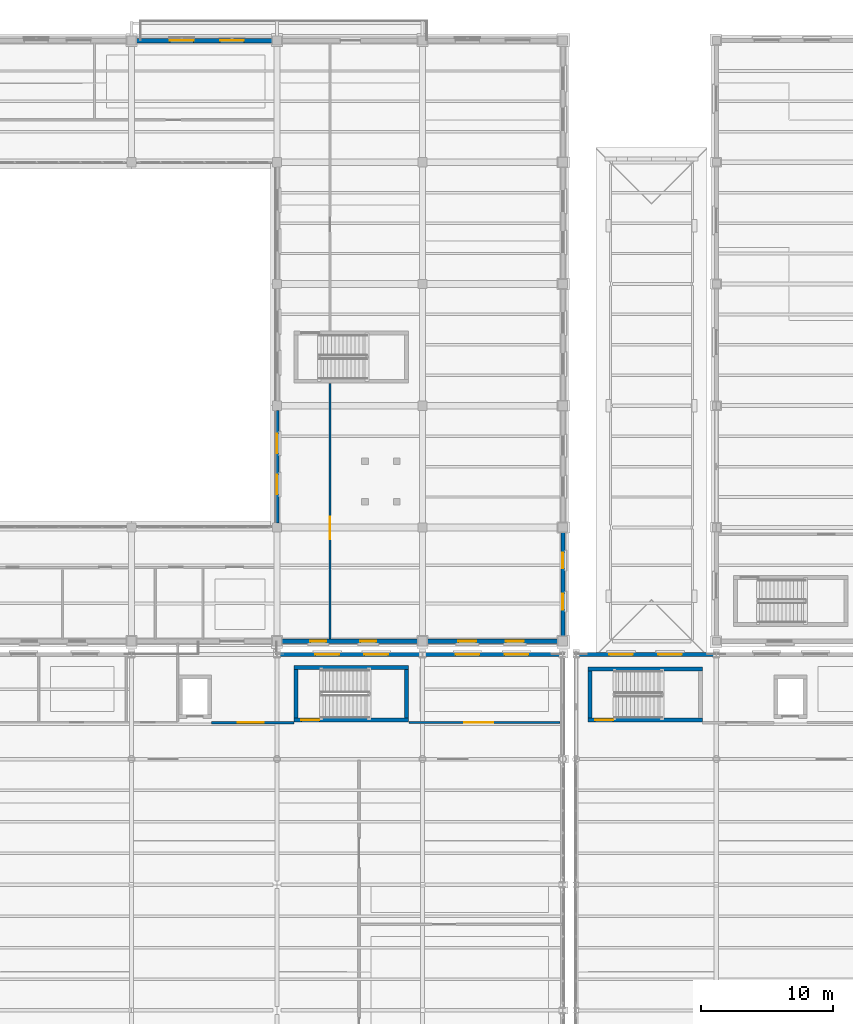
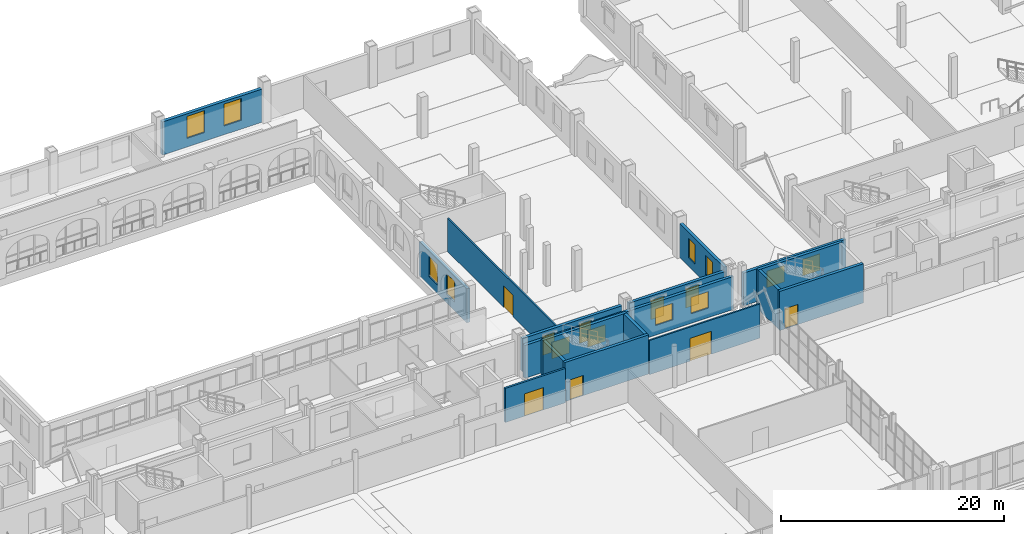
# One storey, part 125 of 156: 18 walls, 16 windows, 5 doors, 21 openings.
"""IFC4 building model written with IfcOpenShell, lengths in metres."""

from ifc_helpers import new_model, si_unit, direction, frame, frame_2d, origin, place, context, subcontext, project, spatial, rectangle, extrude, material, layer, layer_set, type_object, element, fill, save


model = new_model("IFC4")

# Units and contexts
model_context = context("Model", 3, precision=1e-05, world=origin(), true_north=direction((0.0, 1.0)))
body_context = subcontext(model_context, "Body", "Model", "MODEL_VIEW")
ifc_project = project(units=[si_unit("LENGTHUNIT", "METRE"), si_unit("AREAUNIT", "SQUARE_METRE"), si_unit("VOLUMEUNIT", "CUBIC_METRE"), si_unit("PLANEANGLEUNIT", "RADIAN"), si_unit("MASSUNIT", "GRAM", prefix="KILO")], contexts=[model_context])

# Site, building, storey
site_placement = place(None, origin())
site = spatial("IfcSite", under=ifc_project, at=site_placement, CompositionType="ELEMENT")
building_placement = place(site_placement, origin())
building = spatial("IfcBuilding", under=site, at=building_placement, Name="Caurita Quay Ferry Terminal", CompositionType="ELEMENT")
storey_placement = place(building_placement, frame((0.0, 0.0, 5.39990234375)))
storey = spatial("IfcBuildingStorey", under=building, at=storey_placement, Name="L01", CompositionType="ELEMENT", Elevation=5.39990234375)

# Wall, opening, door
ifc_material_1 = material(Name="Reinforced concrete C35/45", Category="concrete")
ifc_layer_1 = layer(ifc_material_1, 0.300048828125, Name="Interior shear wall 300 mm")
ifc_layer_set_1 = layer_set([ifc_layer_1], Name="Reinforced concrete C35/45")
wall_type_1 = type_object("IfcWallType", Name="WL-CORE-300", PredefinedType="SHEAR", material=ifc_layer_set_1)
wall_1_placement = place(storey_placement, frame((67.300048828125, 65.64990234375, 0.0), z_axis=(0.0, 0.0, 1.0), x_axis=(1.0, 0.0, 0.0)))
wall_1 = element("IfcWall", 1, at=wall_1_placement, inside=storey, type_object=wall_type_1, Name="L01 ST-07 Core Wall South", PredefinedType="SHEAR", context=body_context, shape_type="SweptSolid", body=[
    extrude(rectangle(XDim=8.64990234375, YDim=0.300048828125, at=frame_2d((4.324951171875, 0.0))), origin(), (0.0, 0.0, 1.0), 4.280029296875),
])
opening_1_placement = place(wall_1_placement, frame((0.550048828125, 0.0, 0.0)))
opening_1 = element("IfcOpeningElement", 2, at=opening_1_placement, cuts=wall_1, Name="Opening SD-01", PredefinedType="OPENING", context=body_context, shape_type="SweptSolid", body=[
    extrude(rectangle(XDim=1.35009765625, YDim=2.199951171875, at=frame_2d((0.675048828125, 1.10009765625))), frame((0.0, 0.159912109375, 0.0), z_axis=(0.0, -1.0, 0.0), x_axis=(1.0, 0.0, 0.0)), (0.0, 0.0, 1.0), 0.320068359375),
])
ifc_material_2 = material(Name="Anodized aluminium 6063-T6", Category="aluminium")
door_type_1 = type_object("IfcDoorType", Name="DR-ST-1200", OperationType="NOTDEFINED", PredefinedType="DOOR", material=ifc_material_2)
door_1_placement = place(opening_1_placement, origin())
door_1 = element("IfcDoor", 3, at=door_1_placement, inside=storey, type_object=door_type_1, Name="L01 Exit Stair ST-07 Fire Door", OperationType="SINGLE_SWING_RIGHT", OverallHeight=2.199951171875, OverallWidth=1.35009765625, PredefinedType="DOOR", context=body_context, shape_type="SweptSolid", body=[
    extrude(rectangle(XDim=1.35009765625, YDim=2.199951171875, at=frame_2d((0.675048828125, 1.10009765625))), frame((0.0, 0.02490234375, 0.0), z_axis=(0.0, -1.0, 0.0), x_axis=(1.0, 0.0, 0.0)), (0.0, 0.0, 1.0), 0.050048828125),
])
fill(opening_1, door_1)

# Walls
wall_2_placement = place(storey_placement, frame((75.949951171875, 69.610107421875, 0.0), z_axis=(0.0, 0.0, 1.0), x_axis=(-1.0, 0.0, 0.0)))
element("IfcWall", 4, at=wall_2_placement, inside=storey, type_object=wall_type_1, Name="L01 ST-07 Core Wall North", PredefinedType="SHEAR", context=body_context, shape_type="SweptSolid", body=[
    extrude(rectangle(XDim=8.64990234375, YDim=0.300048828125, at=frame_2d((4.324951171875, 0.0))), origin(), (0.0, 0.0, 1.0), 4.280029296875),
])
for number, where, z_axis, x_axis, name in (
    (5, (67.449951171875, 69.4599609375, 0.0), (0.0, 0.0, 1.0), (0.0, -1.0, 0.0), "L01 ST-07 Core Wall West"),
    (6, (75.800048828125, 65.800048828125, 0.0), (0.0, 0.0, 1.0), (0.0, 1.0, 0.0), "L01 ST-07 Core Wall East"),
):
    element("IfcWall", number, at=place(storey_placement, frame(where, z_axis=z_axis, x_axis=x_axis)), inside=storey, type_object=wall_type_1, Name=name, PredefinedType="SHEAR", context=body_context, shape_type="SweptSolid", body=[
        extrude(rectangle(XDim=3.659912109375, YDim=0.300048828125, at=frame_2d((1.830078125, 0.0))), origin(), (0.0, 0.0, 1.0), 4.280029296875),
    ])

# Wall, opening, door
wall_3_placement = place(storey_placement, frame((89.5, 65.64990234375, 0.0), z_axis=(0.0, 0.0, 1.0), x_axis=(1.0, 0.0, 0.0)))
wall_3 = element("IfcWall", 7, at=wall_3_placement, inside=storey, type_object=wall_type_1, Name="L01 ST-08 Core Wall South", PredefinedType="SHEAR", context=body_context, shape_type="SweptSolid", body=[
    extrude(rectangle(XDim=8.64990234375, YDim=0.300048828125, at=frame_2d((4.324951171875, 0.0))), origin(), (0.0, 0.0, 1.0), 4.280029296875),
])
opening_2_placement = place(wall_3_placement, frame((0.550048828125, 0.0, 0.0)))
opening_2 = element("IfcOpeningElement", 8, at=opening_2_placement, cuts=wall_3, Name="Opening SD-01", PredefinedType="OPENING", context=body_context, shape_type="SweptSolid", body=[
    extrude(rectangle(XDim=1.35009765625, YDim=2.199951171875, at=frame_2d((0.675048828125, 1.10009765625))), frame((0.0, 0.159912109375, 0.0), z_axis=(0.0, -1.0, 0.0), x_axis=(1.0, 0.0, 0.0)), (0.0, 0.0, 1.0), 0.320068359375),
])
door_2_placement = place(opening_2_placement, origin())
door_2 = element("IfcDoor", 9, at=door_2_placement, inside=storey, type_object=door_type_1, Name="L01 Exit Stair ST-08 Fire Door", OperationType="SINGLE_SWING_LEFT", OverallHeight=2.199951171875, OverallWidth=1.35009765625, PredefinedType="DOOR", context=body_context, shape_type="SweptSolid", body=[
    extrude(rectangle(XDim=1.35009765625, YDim=2.199951171875, at=frame_2d((0.675048828125, 1.10009765625))), frame((0.0, 0.02490234375, 0.0), z_axis=(0.0, -1.0, 0.0), x_axis=(1.0, 0.0, 0.0)), (0.0, 0.0, 1.0), 0.050048828125),
])
fill(opening_2, door_2)

# Walls
wall_4_placement = place(storey_placement, frame((98.14990234375, 69.510009765625, 0.0), z_axis=(0.0, 0.0, 1.0), x_axis=(-1.0, 0.0, 0.0)))
element("IfcWall", 10, at=wall_4_placement, inside=storey, type_object=wall_type_1, Name="L01 ST-08 Core Wall North", PredefinedType="SHEAR", context=body_context, shape_type="SweptSolid", body=[
    extrude(rectangle(XDim=8.64990234375, YDim=0.300048828125, at=frame_2d((4.324951171875, 0.0))), origin(), (0.0, 0.0, 1.0), 4.280029296875),
])
wall_5_placement = place(storey_placement, frame((89.64990234375, 69.360107421875, 0.0), z_axis=(0.0, 0.0, 1.0), x_axis=(0.0, -1.0, 0.0)))
element("IfcWall", 11, at=wall_5_placement, inside=storey, type_object=wall_type_1, Name="L01 ST-08 Core Wall West", PredefinedType="SHEAR", context=body_context, shape_type="SweptSolid", body=[
    extrude(rectangle(XDim=3.56005859375, YDim=0.300048828125, at=frame_2d((1.780029296875, 0.0))), origin(), (0.0, 0.0, 1.0), 4.280029296875),
])

# Wall, opening, door
ifc_material_3 = material(Name="Warm-white lime stucco masonry", Category="masonry")
ifc_layer_2 = layer(ifc_material_3, 0.199951171875, Name="Interior partitioning wall 200 mm")
ifc_layer_set_2 = layer_set([ifc_layer_2], Name="Warm-white lime stucco masonry")
wall_type_2 = type_object("IfcWallType", Name="WL-CORR-200", PredefinedType="PARTITIONING", material=ifc_layer_set_2)
wall_6_placement = place(storey_placement, frame((61.050048828125, 65.449951171875, 0.0), z_axis=(0.0, 0.0, 1.0), x_axis=(1.0, 0.0, 0.0)))
wall_6 = element("IfcWall", 12, at=wall_6_placement, inside=storey, type_object=wall_type_2, Name="L01 Interior Partition IW-L01-046", PredefinedType="PARTITIONING", context=body_context, shape_type="SweptSolid", body=[
    extrude(rectangle(XDim=6.239990234375, YDim=0.199951171875, at=frame_2d((3.1201171875, 0.0))), origin(), (0.0, 0.0, 1.0), 3.739013671875),
])
opening_3_placement = place(wall_6_placement, frame((2.0, 0.0, 0.0)))
opening_3 = element("IfcOpeningElement", 13, at=opening_3_placement, cuts=wall_6, Name="Opening ID-02", PredefinedType="OPENING", context=body_context, shape_type="SweptSolid", body=[
    extrude(rectangle(XDim=1.949951171875, YDim=2.449951171875, at=frame_2d((0.97509765625, 1.22509765625))), frame((0.0, 0.10986328125, 0.0), z_axis=(0.0, -1.0, 0.0), x_axis=(1.0, 0.0, 0.0)), (0.0, 0.0, 1.0), 0.219970703125),
])
door_type_2 = type_object("IfcDoorType", Name="DR-HALL-1950", OperationType="NOTDEFINED", PredefinedType="DOOR", material=ifc_material_2)
door_3_placement = place(opening_3_placement, frame((1.949951171875, 0.0, 0.0), z_axis=(0.0, 0.0, 1.0), x_axis=(-1.0, 0.0, 0.0)))
door_3 = element("IfcDoor", 14, at=door_3_placement, inside=storey, type_object=door_type_2, Name="Departure Lift Lobby L01 East Door", OperationType="SINGLE_SWING_RIGHT", OverallHeight=2.449951171875, OverallWidth=1.949951171875, PredefinedType="DOOR", context=body_context, shape_type="SweptSolid", body=[
    extrude(rectangle(XDim=1.949951171875, YDim=2.449951171875, at=frame_2d((0.97509765625, 1.22509765625))), frame((0.0, 0.02490234375, 0.0), z_axis=(0.0, -1.0, 0.0), x_axis=(1.0, 0.0, 0.0)), (0.0, 0.0, 1.0), 0.050048828125),
])
fill(opening_3, door_3)

# Wall, openings, windows
ifc_layer_3 = layer(ifc_material_3, 0.31005859375, Name="Exterior solidwall wall 310 mm")
ifc_layer_set_3 = layer_set([ifc_layer_3], Name="Warm-white lime stucco masonry")
wall_type_3 = type_object("IfcWallType", Name="WL-EXT-310", PredefinedType="SOLIDWALL", material=ifc_layer_set_3)
wall_7_placement = place(storey_placement, frame((66.347900390625, 71.60009765625, 0.0), z_axis=(0.0, 0.0, 1.0), x_axis=(1.0, 0.0, 0.0)))
wall_7 = element("IfcWall", 15, at=wall_7_placement, inside=storey, type_object=wall_type_3, Name="L01 Exterior Wall EW-L01-067", PredefinedType="SOLIDWALL", context=body_context, shape_type="SweptSolid", body=[
    extrude(rectangle(XDim=10.30419921875, YDim=0.31005859375, at=frame_2d((5.152099609375, 0.0))), origin(), (0.0, 0.0, 1.0), 3.625),
])
opening_4_placement = place(wall_7_placement, frame((2.172119140625, 0.0, 0.949951171875)))
opening_4 = element("IfcOpeningElement", 16, at=opening_4_placement, cuts=wall_7, Name="Opening W-04", PredefinedType="OPENING", context=body_context, shape_type="SweptSolid", body=[
    extrude(rectangle(XDim=1.199951171875, YDim=2.10009765625, at=frame_2d((0.60009765625, 1.050048828125))), frame((0.0, 0.1650390625, 0.0), z_axis=(0.0, -1.0, 0.0), x_axis=(1.0, 0.0, 0.0)), (0.0, 0.0, 1.0), 0.330078125),
])
opening_5_placement = place(wall_7_placement, frame((5.951904296875, 0.0, 0.949951171875)))
opening_5 = element("IfcOpeningElement", 17, at=opening_5_placement, cuts=wall_7, Name="Opening W-04", PredefinedType="OPENING", context=body_context, shape_type="SweptSolid", body=[
    extrude(rectangle(XDim=1.199951171875, YDim=2.10009765625, at=frame_2d((0.60009765625, 1.050048828125))), frame((0.0, 0.1650390625, 0.0), z_axis=(0.0, -1.0, 0.0), x_axis=(1.0, 0.0, 0.0)), (0.0, 0.0, 1.0), 0.330078125),
])
ifc_material_4 = material(Name="Laminated solar-control insulated glass", Category="glass")
window_type_1 = type_object("IfcWindowType", Name="WIN-SC-1221", PartitioningType="SINGLE_PANEL", PredefinedType="WINDOW", material=ifc_material_4)
window_1_placement = place(opening_4_placement, origin())
window_1 = element("IfcWindow", 18, at=window_1_placement, inside=storey, type_object=window_type_1, Name="L01 Casement Window WN-L01-099", OverallHeight=2.10009765625, OverallWidth=1.199951171875, PartitioningType="SINGLE_PANEL", PredefinedType="WINDOW", context=body_context, shape_type="SweptSolid", body=[
    extrude(rectangle(XDim=1.199951171875, YDim=2.10009765625, at=frame_2d((0.60009765625, 1.050048828125))), frame((0.0, 0.030029296875, 0.0), z_axis=(0.0, -1.0, 0.0), x_axis=(1.0, 0.0, 0.0)), (0.0, 0.0, 1.0), 0.06005859375),
])
fill(opening_4, window_1)
window_2_placement = place(opening_5_placement, origin())
window_2 = element("IfcWindow", 19, at=window_2_placement, inside=storey, type_object=window_type_1, Name="L01 Casement Window WN-L01-100", OverallHeight=2.10009765625, OverallWidth=1.199951171875, PartitioningType="SINGLE_PANEL", PredefinedType="WINDOW", context=body_context, shape_type="SweptSolid", body=[
    extrude(rectangle(XDim=1.199951171875, YDim=2.10009765625, at=frame_2d((0.60009765625, 1.050048828125))), frame((0.0, 0.030029296875, 0.0), z_axis=(0.0, -1.0, 0.0), x_axis=(1.0, 0.0, 0.0)), (0.0, 0.0, 1.0), 0.06005859375),
])
fill(opening_5, window_2)

wall_8_placement = place(storey_placement, frame((77.347900390625, 71.60009765625, 0.0), z_axis=(0.0, 0.0, 1.0), x_axis=(1.0, 0.0, 0.0)))
wall_8 = element("IfcWall", 20, at=wall_8_placement, inside=storey, type_object=wall_type_3, Name="L01 Exterior Wall EW-L01-068", PredefinedType="SOLIDWALL", context=body_context, shape_type="SweptSolid", body=[
    extrude(rectangle(XDim=9.904052734375, YDim=0.31005859375, at=frame_2d((4.9521484375, 0.0))), origin(), (0.0, 0.0, 1.0), 3.635009765625),
])
opening_6_placement = place(wall_8_placement, frame((2.35205078125, 0.0, 0.949951171875)))
opening_6 = element("IfcOpeningElement", 21, at=opening_6_placement, cuts=wall_8, Name="Opening W-05", PredefinedType="OPENING", context=body_context, shape_type="SweptSolid", body=[
    extrude(rectangle(XDim=1.35009765625, YDim=2.10009765625, at=frame_2d((0.675048828125, 1.050048828125))), frame((0.0, 0.1650390625, 0.0), z_axis=(0.0, -1.0, 0.0), x_axis=(1.0, 0.0, 0.0)), (0.0, 0.0, 1.0), 0.330078125),
])
opening_7_placement = place(wall_8_placement, frame((5.951904296875, 0.0, 0.949951171875)))
opening_7 = element("IfcOpeningElement", 22, at=opening_7_placement, cuts=wall_8, Name="Opening W-05", PredefinedType="OPENING", context=body_context, shape_type="SweptSolid", body=[
    extrude(rectangle(XDim=1.35009765625, YDim=2.10009765625, at=frame_2d((0.675048828125, 1.050048828125))), frame((0.0, 0.1650390625, 0.0), z_axis=(0.0, -1.0, 0.0), x_axis=(1.0, 0.0, 0.0)), (0.0, 0.0, 1.0), 0.330078125),
])
window_type_2 = type_object("IfcWindowType", Name="WIN-SC-13521", PartitioningType="SINGLE_PANEL", PredefinedType="WINDOW", material=ifc_material_4)
window_3_placement = place(opening_6_placement, origin())
window_3 = element("IfcWindow", 23, at=window_3_placement, inside=storey, type_object=window_type_2, Name="L01 Casement Window WN-L01-101", OverallHeight=2.10009765625, OverallWidth=1.35009765625, PartitioningType="SINGLE_PANEL", PredefinedType="WINDOW", context=body_context, shape_type="SweptSolid", body=[
    extrude(rectangle(XDim=1.35009765625, YDim=2.10009765625, at=frame_2d((0.675048828125, 1.050048828125))), frame((0.0, 0.030029296875, 0.0), z_axis=(0.0, -1.0, 0.0), x_axis=(1.0, 0.0, 0.0)), (0.0, 0.0, 1.0), 0.06005859375),
])
fill(opening_6, window_3)
window_4_placement = place(opening_7_placement, origin())
window_4 = element("IfcWindow", 24, at=window_4_placement, inside=storey, type_object=window_type_2, Name="L01 Casement Window WN-L01-102", OverallHeight=2.10009765625, OverallWidth=1.35009765625, PartitioningType="SINGLE_PANEL", PredefinedType="WINDOW", context=body_context, shape_type="SweptSolid", body=[
    extrude(rectangle(XDim=1.35009765625, YDim=2.10009765625, at=frame_2d((0.675048828125, 1.050048828125))), frame((0.0, 0.030029296875, 0.0), z_axis=(0.0, -1.0, 0.0), x_axis=(1.0, 0.0, 0.0)), (0.0, 0.0, 1.0), 0.06005859375),
])
fill(opening_7, window_4)

wall_9_placement = place(storey_placement, frame((87.60009765625, 71.947998046875, 0.0), z_axis=(0.0, 0.0, 1.0), x_axis=(0.0, 1.0, 0.0)))
wall_9 = element("IfcWall", 25, at=wall_9_placement, inside=storey, type_object=wall_type_3, Name="L01 Exterior Wall EW-L01-088", PredefinedType="SOLIDWALL", context=body_context, shape_type="SweptSolid", body=[
    extrude(rectangle(XDim=7.904052734375, YDim=0.31005859375, at=frame_2d((3.9521484375, 0.0))), origin(), (0.0, 0.0, 1.0), 3.735107421875),
])
opening_8_placement = place(wall_9_placement, frame((2.052001953125, 0.0, 0.949951171875)))
opening_8 = element("IfcOpeningElement", 26, at=opening_8_placement, cuts=wall_9, Name="Opening W-04", PredefinedType="OPENING", context=body_context, shape_type="SweptSolid", body=[
    extrude(rectangle(XDim=1.199951171875, YDim=2.10009765625, at=frame_2d((0.60009765625, 1.050048828125))), frame((0.0, 0.1650390625, 0.0), z_axis=(0.0, -1.0, 0.0), x_axis=(1.0, 0.0, 0.0)), (0.0, 0.0, 1.0), 0.330078125),
])
opening_9_placement = place(wall_9_placement, frame((5.152099609375, 0.0, 0.949951171875)))
opening_9 = element("IfcOpeningElement", 27, at=opening_9_placement, cuts=wall_9, Name="Opening W-04", PredefinedType="OPENING", context=body_context, shape_type="SweptSolid", body=[
    extrude(rectangle(XDim=1.199951171875, YDim=2.10009765625, at=frame_2d((0.60009765625, 1.050048828125))), frame((0.0, 0.1650390625, 0.0), z_axis=(0.0, -1.0, 0.0), x_axis=(1.0, 0.0, 0.0)), (0.0, 0.0, 1.0), 0.330078125),
])
window_5_placement = place(opening_8_placement, origin())
window_5 = element("IfcWindow", 28, at=window_5_placement, inside=storey, type_object=window_type_1, Name="L01 Casement Window WN-L01-131", OverallHeight=2.10009765625, OverallWidth=1.199951171875, PartitioningType="SINGLE_PANEL", PredefinedType="WINDOW", context=body_context, shape_type="SweptSolid", body=[
    extrude(rectangle(XDim=1.199951171875, YDim=2.10009765625, at=frame_2d((0.60009765625, 1.050048828125))), frame((0.0, 0.030029296875, 0.0), z_axis=(0.0, -1.0, 0.0), x_axis=(1.0, 0.0, 0.0)), (0.0, 0.0, 1.0), 0.06005859375),
])
fill(opening_8, window_5)
window_6_placement = place(opening_9_placement, origin())
window_6 = element("IfcWindow", 29, at=window_6_placement, inside=storey, type_object=window_type_1, Name="L01 Casement Window WN-L01-132", OverallHeight=2.10009765625, OverallWidth=1.199951171875, PartitioningType="SINGLE_PANEL", PredefinedType="WINDOW", context=body_context, shape_type="SweptSolid", body=[
    extrude(rectangle(XDim=1.199951171875, YDim=2.10009765625, at=frame_2d((0.60009765625, 1.050048828125))), frame((0.0, 0.030029296875, 0.0), z_axis=(0.0, -1.0, 0.0), x_axis=(1.0, 0.0, 0.0)), (0.0, 0.0, 1.0), 0.06005859375),
])
fill(opening_9, window_6)

wall_10_placement = place(storey_placement, frame((66.0, 80.548095703125, 0.0), z_axis=(0.0, 0.0, 1.0), x_axis=(0.0, 1.0, 0.0)))
wall_10 = element("IfcWall", 30, at=wall_10_placement, inside=storey, type_object=wall_type_3, Name="L01 Exterior Wall EW-L01-131", PredefinedType="SOLIDWALL", context=body_context, shape_type="SweptSolid", body=[
    extrude(rectangle(XDim=8.50390625, YDim=0.31005859375, at=frame_2d((4.251953125, 0.0))), origin(), (0.0, 0.0, 1.0), 3.72509765625),
])
opening_10_placement = place(wall_10_placement, frame((2.152099609375, 0.0, 0.949951171875)))
opening_10 = element("IfcOpeningElement", 31, at=opening_10_placement, cuts=wall_10, Name="Opening W-07", PredefinedType="OPENING", context=body_context, shape_type="SweptSolid", body=[
    extrude(rectangle(XDim=1.5, YDim=2.25, at=frame_2d((0.75, 1.125))), frame((0.0, 0.1650390625, 0.0), z_axis=(0.0, -1.0, 0.0), x_axis=(1.0, 0.0, 0.0)), (0.0, 0.0, 1.0), 0.330078125),
])
opening_11_placement = place(wall_10_placement, frame((5.251953125, 0.0, 0.949951171875)))
opening_11 = element("IfcOpeningElement", 32, at=opening_11_placement, cuts=wall_10, Name="Opening W-07", PredefinedType="OPENING", context=body_context, shape_type="SweptSolid", body=[
    extrude(rectangle(XDim=1.5, YDim=2.25, at=frame_2d((0.75, 1.125))), frame((0.0, 0.1650390625, 0.0), z_axis=(0.0, -1.0, 0.0), x_axis=(1.0, 0.0, 0.0)), (0.0, 0.0, 1.0), 0.330078125),
])
window_type_3 = type_object("IfcWindowType", Name="WIN-SC-1522", PartitioningType="SINGLE_PANEL", PredefinedType="WINDOW", material=ifc_material_4)
window_7_placement = place(opening_10_placement, origin())
window_7 = element("IfcWindow", 33, at=window_7_placement, inside=storey, type_object=window_type_3, Name="L01 Casement Window WN-L01-201", OverallHeight=2.25, OverallWidth=1.5, PartitioningType="SINGLE_PANEL", PredefinedType="WINDOW", context=body_context, shape_type="SweptSolid", body=[
    extrude(rectangle(XDim=1.5, YDim=2.25, at=frame_2d((0.75, 1.125))), frame((0.0, 0.030029296875, 0.0), z_axis=(0.0, -1.0, 0.0), x_axis=(1.0, 0.0, 0.0)), (0.0, 0.0, 1.0), 0.06005859375),
])
fill(opening_10, window_7)
window_8_placement = place(opening_11_placement, origin())
window_8 = element("IfcWindow", 34, at=window_8_placement, inside=storey, type_object=window_type_3, Name="L01 Casement Window WN-L01-202", OverallHeight=2.25, OverallWidth=1.5, PartitioningType="SINGLE_PANEL", PredefinedType="WINDOW", context=body_context, shape_type="SweptSolid", body=[
    extrude(rectangle(XDim=1.5, YDim=2.25, at=frame_2d((0.75, 1.125))), frame((0.0, 0.030029296875, 0.0), z_axis=(0.0, -1.0, 0.0), x_axis=(1.0, 0.0, 0.0)), (0.0, 0.0, 1.0), 0.06005859375),
])
fill(opening_11, window_8)

wall_11_placement = place(storey_placement, frame((76.993408203125, 70.60009765625, 0.0), z_axis=(0.0, 0.0, 1.0), x_axis=(-1.0, 0.0, 0.0)))
wall_11 = element("IfcWall", 35, at=wall_11_placement, inside=storey, type_object=wall_type_3, Name="L01 Exterior Wall EW-L01-184", PredefinedType="SOLIDWALL", context=body_context, shape_type="SweptSolid", body=[
    extrude(rectangle(XDim=10.98681640625, YDim=0.31005859375, at=frame_2d((5.493408203125, 0.0))), origin(), (0.0, 0.0, 1.0), 3.592041015625),
])
opening_12_placement = place(wall_11_placement, frame((2.593505859375, 0.0, 1.050048828125)))
opening_12 = element("IfcOpeningElement", 36, at=opening_12_placement, cuts=wall_11, Name="Opening W-09", PredefinedType="OPENING", context=body_context, shape_type="SweptSolid", body=[
    extrude(rectangle(XDim=1.800048828125, YDim=1.800048828125, at=frame_2d((0.89990234375, 0.89990234375))), frame((0.0, 0.1650390625, 0.0), z_axis=(0.0, -1.0, 0.0), x_axis=(1.0, 0.0, 0.0)), (0.0, 0.0, 1.0), 0.330078125),
])
opening_13_placement = place(wall_11_placement, frame((6.29345703125, 0.0, 1.050048828125)))
opening_13 = element("IfcOpeningElement", 37, at=opening_13_placement, cuts=wall_11, Name="Opening W-09", PredefinedType="OPENING", context=body_context, shape_type="SweptSolid", body=[
    extrude(rectangle(XDim=1.800048828125, YDim=1.800048828125, at=frame_2d((0.89990234375, 0.89990234375))), frame((0.0, 0.1650390625, 0.0), z_axis=(0.0, -1.0, 0.0), x_axis=(1.0, 0.0, 0.0)), (0.0, 0.0, 1.0), 0.330078125),
])
window_type_4 = type_object("IfcWindowType", Name="WIN-SC-1818", PartitioningType="SINGLE_PANEL", PredefinedType="WINDOW", material=ifc_material_4)
window_9_placement = place(opening_12_placement, origin())
window_9 = element("IfcWindow", 38, at=window_9_placement, inside=storey, type_object=window_type_4, Name="L01 Casement Window WN-L01-277", OverallHeight=1.800048828125, OverallWidth=1.800048828125, PartitioningType="SINGLE_PANEL", PredefinedType="WINDOW", context=body_context, shape_type="SweptSolid", body=[
    extrude(rectangle(XDim=1.800048828125, YDim=1.800048828125, at=frame_2d((0.89990234375, 0.89990234375))), frame((0.0, 0.030029296875, 0.0), z_axis=(0.0, -1.0, 0.0), x_axis=(1.0, 0.0, 0.0)), (0.0, 0.0, 1.0), 0.06005859375),
])
fill(opening_12, window_9)
window_10_placement = place(opening_13_placement, origin())
window_10 = element("IfcWindow", 39, at=window_10_placement, inside=storey, type_object=window_type_4, Name="L01 Casement Window WN-L01-278", OverallHeight=1.800048828125, OverallWidth=1.800048828125, PartitioningType="SINGLE_PANEL", PredefinedType="WINDOW", context=body_context, shape_type="SweptSolid", body=[
    extrude(rectangle(XDim=1.800048828125, YDim=1.800048828125, at=frame_2d((0.89990234375, 0.89990234375))), frame((0.0, 0.030029296875, 0.0), z_axis=(0.0, -1.0, 0.0), x_axis=(1.0, 0.0, 0.0)), (0.0, 0.0, 1.0), 0.06005859375),
])
fill(opening_13, window_10)

wall_12_placement = place(storey_placement, frame((87.593505859375, 70.60009765625, 0.0), z_axis=(0.0, 0.0, 1.0), x_axis=(-1.0, 0.0, 0.0)))
wall_12 = element("IfcWall", 40, at=wall_12_placement, inside=storey, type_object=wall_type_3, Name="L01 Exterior Wall EW-L01-185", PredefinedType="SOLIDWALL", context=body_context, shape_type="SweptSolid", body=[
    extrude(rectangle(XDim=10.5869140625, YDim=0.31005859375, at=frame_2d((5.29345703125, 0.0))), origin(), (0.0, 0.0, 1.0), 3.592041015625),
])
opening_14_placement = place(wall_12_placement, frame((2.59326171875, 0.0, 1.050048828125)))
opening_14 = element("IfcOpeningElement", 41, at=opening_14_placement, cuts=wall_12, Name="Opening W-09", PredefinedType="OPENING", context=body_context, shape_type="SweptSolid", body=[
    extrude(rectangle(XDim=1.800048828125, YDim=1.800048828125, at=frame_2d((0.89990234375, 0.89990234375))), frame((0.0, 0.1650390625, 0.0), z_axis=(0.0, -1.0, 0.0), x_axis=(1.0, 0.0, 0.0)), (0.0, 0.0, 1.0), 0.330078125),
])
opening_15_placement = place(wall_12_placement, frame((6.293212890625, 0.0, 1.050048828125)))
opening_15 = element("IfcOpeningElement", 42, at=opening_15_placement, cuts=wall_12, Name="Opening W-09", PredefinedType="OPENING", context=body_context, shape_type="SweptSolid", body=[
    extrude(rectangle(XDim=1.800048828125, YDim=1.800048828125, at=frame_2d((0.89990234375, 0.89990234375))), frame((0.0, 0.1650390625, 0.0), z_axis=(0.0, -1.0, 0.0), x_axis=(1.0, 0.0, 0.0)), (0.0, 0.0, 1.0), 0.330078125),
])
window_11_placement = place(opening_14_placement, origin())
window_11 = element("IfcWindow", 43, at=window_11_placement, inside=storey, type_object=window_type_4, Name="L01 Casement Window WN-L01-279", OverallHeight=1.800048828125, OverallWidth=1.800048828125, PartitioningType="SINGLE_PANEL", PredefinedType="WINDOW", context=body_context, shape_type="SweptSolid", body=[
    extrude(rectangle(XDim=1.800048828125, YDim=1.800048828125, at=frame_2d((0.89990234375, 0.89990234375))), frame((0.0, 0.030029296875, 0.0), z_axis=(0.0, -1.0, 0.0), x_axis=(1.0, 0.0, 0.0)), (0.0, 0.0, 1.0), 0.06005859375),
])
fill(opening_14, window_11)
window_12_placement = place(opening_15_placement, origin())
window_12 = element("IfcWindow", 44, at=window_12_placement, inside=storey, type_object=window_type_4, Name="L01 Casement Window WN-L01-280", OverallHeight=1.800048828125, OverallWidth=1.800048828125, PartitioningType="SINGLE_PANEL", PredefinedType="WINDOW", context=body_context, shape_type="SweptSolid", body=[
    extrude(rectangle(XDim=1.800048828125, YDim=1.800048828125, at=frame_2d((0.89990234375, 0.89990234375))), frame((0.0, 0.030029296875, 0.0), z_axis=(0.0, -1.0, 0.0), x_axis=(1.0, 0.0, 0.0)), (0.0, 0.0, 1.0), 0.06005859375),
])
fill(opening_15, window_12)

wall_13_placement = place(storey_placement, frame((99.194580078125, 70.60009765625, 0.0), z_axis=(0.0, 0.0, 1.0), x_axis=(-1.0, 0.0, 0.0)))
wall_13 = element("IfcWall", 45, at=wall_13_placement, inside=storey, type_object=wall_type_3, Name="L01 Exterior Wall EW-L01-186", PredefinedType="SOLIDWALL", context=body_context, shape_type="SweptSolid", body=[
    extrude(rectangle(XDim=10.589111328125, YDim=0.31005859375, at=frame_2d((5.29443359375, 0.0))), origin(), (0.0, 0.0, 1.0), 3.592041015625),
])
opening_16_placement = place(wall_13_placement, frame((2.594482421875, 0.0, 1.050048828125)))
opening_16 = element("IfcOpeningElement", 46, at=opening_16_placement, cuts=wall_13, Name="Opening W-09", PredefinedType="OPENING", context=body_context, shape_type="SweptSolid", body=[
    extrude(rectangle(XDim=1.800048828125, YDim=1.800048828125, at=frame_2d((0.89990234375, 0.89990234375))), frame((0.0, 0.1650390625, 0.0), z_axis=(0.0, -1.0, 0.0), x_axis=(1.0, 0.0, 0.0)), (0.0, 0.0, 1.0), 0.330078125),
])
opening_17_placement = place(wall_13_placement, frame((6.29443359375, 0.0, 1.050048828125)))
opening_17 = element("IfcOpeningElement", 47, at=opening_17_placement, cuts=wall_13, Name="Opening W-09", PredefinedType="OPENING", context=body_context, shape_type="SweptSolid", body=[
    extrude(rectangle(XDim=1.800048828125, YDim=1.800048828125, at=frame_2d((0.89990234375, 0.89990234375))), frame((0.0, 0.1650390625, 0.0), z_axis=(0.0, -1.0, 0.0), x_axis=(1.0, 0.0, 0.0)), (0.0, 0.0, 1.0), 0.330078125),
])
window_13_placement = place(opening_16_placement, origin())
window_13 = element("IfcWindow", 48, at=window_13_placement, inside=storey, type_object=window_type_4, Name="L01 Casement Window WN-L01-281", OverallHeight=1.800048828125, OverallWidth=1.800048828125, PartitioningType="SINGLE_PANEL", PredefinedType="WINDOW", context=body_context, shape_type="SweptSolid", body=[
    extrude(rectangle(XDim=1.800048828125, YDim=1.800048828125, at=frame_2d((0.89990234375, 0.89990234375))), frame((0.0, 0.030029296875, 0.0), z_axis=(0.0, -1.0, 0.0), x_axis=(1.0, 0.0, 0.0)), (0.0, 0.0, 1.0), 0.06005859375),
])
fill(opening_16, window_13)
window_14_placement = place(opening_17_placement, origin())
window_14 = element("IfcWindow", 49, at=window_14_placement, inside=storey, type_object=window_type_4, Name="L01 Casement Window WN-L01-282", OverallHeight=1.800048828125, OverallWidth=1.800048828125, PartitioningType="SINGLE_PANEL", PredefinedType="WINDOW", context=body_context, shape_type="SweptSolid", body=[
    extrude(rectangle(XDim=1.800048828125, YDim=1.800048828125, at=frame_2d((0.89990234375, 0.89990234375))), frame((0.0, 0.030029296875, 0.0), z_axis=(0.0, -1.0, 0.0), x_axis=(1.0, 0.0, 0.0)), (0.0, 0.0, 1.0), 0.06005859375),
])
fill(opening_17, window_14)

ifc_layer_4 = layer(ifc_material_3, 0.340087890625, Name="Exterior solidwall wall 340 mm")
ifc_layer_set_4 = layer_set([ifc_layer_4], Name="Warm-white lime stucco masonry")
wall_type_4 = type_object("IfcWallType", Name="WL-EXT-340", PredefinedType="SOLIDWALL", material=ifc_layer_set_4)
wall_14_placement = place(storey_placement, frame((65.652099609375, 117.0, 0.0), z_axis=(0.0, 0.0, 1.0), x_axis=(-1.0, 0.0, 0.0)))
wall_14 = element("IfcWall", 50, at=wall_14_placement, inside=storey, type_object=wall_type_4, Name="L01 Exterior Wall EW-L01-014", PredefinedType="SOLIDWALL", context=body_context, shape_type="SweptSolid", body=[
    extrude(rectangle(XDim=10.30419921875, YDim=0.340087890625, at=frame_2d((5.152099609375, 0.0))), origin(), (0.0, 0.0, 1.0), 3.625),
])
opening_18_placement = place(wall_14_placement, frame((2.152099609375, 0.0, 0.949951171875)))
opening_18 = element("IfcOpeningElement", 51, at=opening_18_placement, cuts=wall_14, Name="Opening W-10", PredefinedType="OPENING", context=body_context, shape_type="SweptSolid", body=[
    extrude(rectangle(XDim=1.800048828125, YDim=2.39990234375, at=frame_2d((0.89990234375, 1.199951171875))), frame((0.0, 0.179931640625, 0.0), z_axis=(0.0, -1.0, 0.0), x_axis=(1.0, 0.0, 0.0)), (0.0, 0.0, 1.0), 0.360107421875),
])
opening_19_placement = place(wall_14_placement, frame((5.951904296875, 0.0, 0.949951171875)))
opening_19 = element("IfcOpeningElement", 52, at=opening_19_placement, cuts=wall_14, Name="Opening W-10", PredefinedType="OPENING", context=body_context, shape_type="SweptSolid", body=[
    extrude(rectangle(XDim=1.800048828125, YDim=2.39990234375, at=frame_2d((0.89990234375, 1.199951171875))), frame((0.0, 0.179931640625, 0.0), z_axis=(0.0, -1.0, 0.0), x_axis=(1.0, 0.0, 0.0)), (0.0, 0.0, 1.0), 0.360107421875),
])
window_type_5 = type_object("IfcWindowType", Name="WIN-SC-1824", PartitioningType="SINGLE_PANEL", PredefinedType="WINDOW", material=ifc_material_4)
window_15_placement = place(opening_18_placement, origin())
window_15 = element("IfcWindow", 53, at=window_15_placement, inside=storey, type_object=window_type_5, Name="L01 Casement Window WN-L01-017", OverallHeight=2.39990234375, OverallWidth=1.800048828125, PartitioningType="SINGLE_PANEL", PredefinedType="WINDOW", context=body_context, shape_type="SweptSolid", body=[
    extrude(rectangle(XDim=1.800048828125, YDim=2.39990234375, at=frame_2d((0.89990234375, 1.199951171875))), frame((0.0, 0.030029296875, 0.0), z_axis=(0.0, -1.0, 0.0), x_axis=(1.0, 0.0, 0.0)), (0.0, 0.0, 1.0), 0.06005859375),
])
fill(opening_18, window_15)
window_16_placement = place(opening_19_placement, origin())
window_16 = element("IfcWindow", 54, at=window_16_placement, inside=storey, type_object=window_type_5, Name="L01 Casement Window WN-L01-018", OverallHeight=2.39990234375, OverallWidth=1.800048828125, PartitioningType="SINGLE_PANEL", PredefinedType="WINDOW", context=body_context, shape_type="SweptSolid", body=[
    extrude(rectangle(XDim=1.800048828125, YDim=2.39990234375, at=frame_2d((0.89990234375, 1.199951171875))), frame((0.0, 0.030029296875, 0.0), z_axis=(0.0, -1.0, 0.0), x_axis=(1.0, 0.0, 0.0)), (0.0, 0.0, 1.0), 0.06005859375),
])
fill(opening_19, window_16)

# Wall, opening, door
ifc_material_5 = material(Name="Gypsum board partition", Category="masonry")
ifc_layer_5 = layer(ifc_material_5, 0.159912109375, Name="Interior partitioning wall 160 mm")
ifc_layer_set_5 = layer_set([ifc_layer_5], Name="Gypsum board partition")
wall_type_5 = type_object("IfcWallType", Name="WL-PART-160", PredefinedType="PARTITIONING", material=ifc_layer_set_5)
wall_15_placement = place(storey_placement, frame((75.9599609375, 65.449951171875, 0.0), z_axis=(0.0, 0.0, 1.0), x_axis=(1.0, 0.0, 0.0)))
wall_15 = element("IfcWall", 55, at=wall_15_placement, inside=storey, type_object=wall_type_5, Name="L01 Interior Partition IW-L01-047", PredefinedType="PARTITIONING", context=body_context, shape_type="SweptSolid", body=[
    extrude(rectangle(XDim=11.43994140625, YDim=0.159912109375, at=frame_2d((5.719970703125, 0.0))), origin(), (0.0, 0.0, 1.0), 3.739013671875),
])
opening_20_placement = place(wall_15_placement, frame((4.199951171875, 0.0, 0.0)))
opening_20 = element("IfcOpeningElement", 56, at=opening_20_placement, cuts=wall_15, Name="Opening ID-01", PredefinedType="OPENING", context=body_context, shape_type="SweptSolid", body=[
    extrude(rectangle(XDim=2.199951171875, YDim=2.5, at=frame_2d((1.10009765625, 1.25))), frame((0.0, 0.08984375, 0.0), z_axis=(0.0, -1.0, 0.0), x_axis=(1.0, 0.0, 0.0)), (0.0, 0.0, 1.0), 0.179931640625),
])
door_type_3 = type_object("IfcDoorType", Name="DR-HALL-2200", OperationType="NOTDEFINED", PredefinedType="DOOR", material=ifc_material_2)
door_4_placement = place(opening_20_placement, origin())
door_4 = element("IfcDoor", 57, at=door_4_placement, inside=storey, type_object=door_type_3, Name="Duty-Free Concession Storefront Door", OperationType="SINGLE_SWING_LEFT", OverallHeight=2.5, OverallWidth=2.199951171875, PredefinedType="DOOR", context=body_context, shape_type="SweptSolid", body=[
    extrude(rectangle(XDim=2.199951171875, YDim=2.5, at=frame_2d((1.10009765625, 1.25))), frame((0.0, 0.02490234375, 0.0), z_axis=(0.0, -1.0, 0.0), x_axis=(1.0, 0.0, 0.0)), (0.0, 0.0, 1.0), 0.050048828125),
])
fill(opening_20, door_4)

wall_16_placement = place(storey_placement, frame((70.0, 71.760009765625, 0.0), z_axis=(0.0, 0.0, 1.0), x_axis=(0.0, 1.0, 0.0)))
wall_16 = element("IfcWall", 58, at=wall_16_placement, inside=storey, type_object=wall_type_5, Name="L01 Interior Partition IW-L01-068", PredefinedType="PARTITIONING", context=body_context, shape_type="SweptSolid", body=[
    extrude(rectangle(XDim=19.3349609375, YDim=0.159912109375, at=frame_2d((9.66748046875, 0.0))), origin(), (0.0, 0.0, 1.0), 3.625),
])
opening_21_placement = place(wall_16_placement, frame((7.5400390625, 0.0, 0.0)))
opening_21 = element("IfcOpeningElement", 59, at=opening_21_placement, cuts=wall_16, Name="Opening ID-03", PredefinedType="OPENING", context=body_context, shape_type="SweptSolid", body=[
    extrude(rectangle(XDim=1.699951171875, YDim=2.35009765625, at=frame_2d((0.85009765625, 1.175048828125))), frame((0.0, 0.08984375, 0.0), z_axis=(0.0, -1.0, 0.0), x_axis=(1.0, 0.0, 0.0)), (0.0, 0.0, 1.0), 0.179931640625),
])
ifc_material_6 = material(Name="Tropical mahogany hardwood", Category="wood")
door_type_4 = type_object("IfcDoorType", Name="DR-CONC-1700", OperationType="NOTDEFINED", PredefinedType="DOOR", material=ifc_material_6)
door_5_placement = place(opening_21_placement, origin())
door_5 = element("IfcDoor", 60, at=door_5_placement, inside=storey, type_object=door_type_4, Name="Maritime Travel Bookshop Door", OperationType="SINGLE_SWING_LEFT", OverallHeight=2.35009765625, OverallWidth=1.699951171875, PredefinedType="DOOR", context=body_context, shape_type="SweptSolid", body=[
    extrude(rectangle(XDim=1.699951171875, YDim=2.35009765625, at=frame_2d((0.85009765625, 1.175048828125))), frame((0.0, 0.02490234375, 0.0), z_axis=(0.0, -1.0, 0.0), x_axis=(1.0, 0.0, 0.0)), (0.0, 0.0, 1.0), 0.050048828125),
])
fill(opening_21, door_5)

save(model, "model.ifc")
